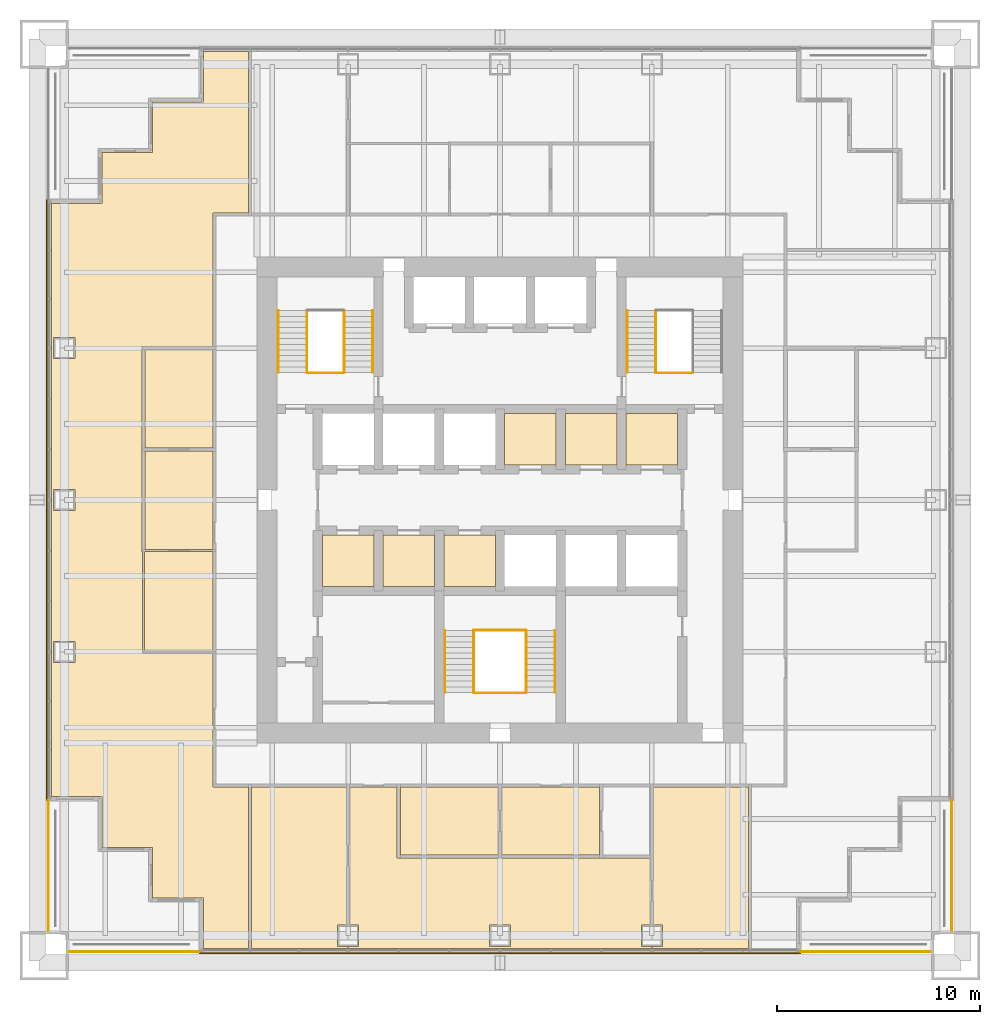
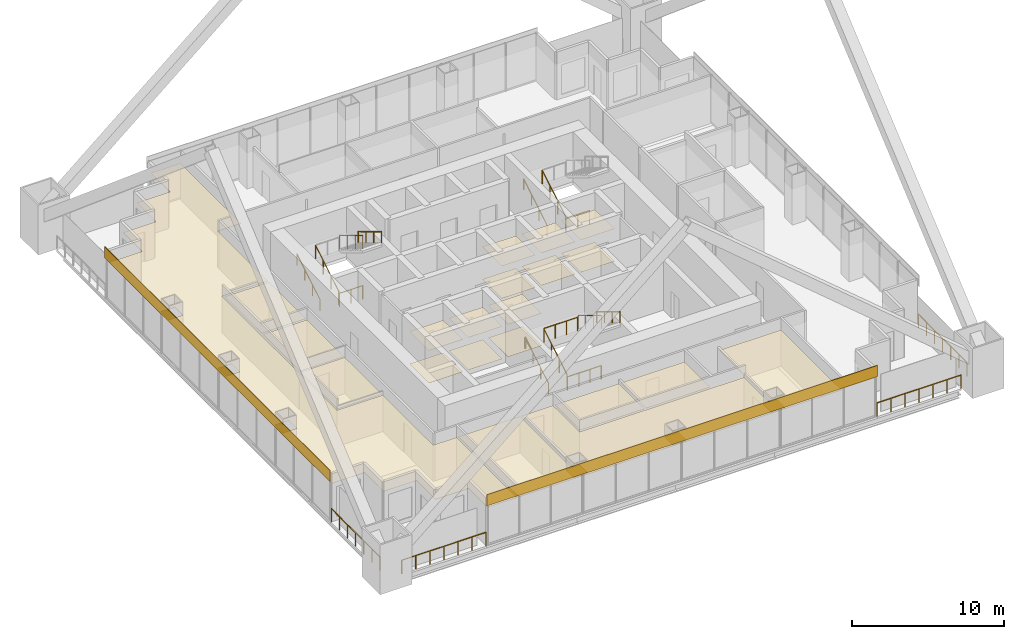
# One storey, part 18 of 19: 23 coverings, 18 railings.
"""IFC4 building model written with IfcOpenShell, lengths in metres."""

from ifc_helpers import new_model, si_unit, direction, frame, origin, origin_2d, place, context, subcontext, project, spatial, polyline, rectangle, circle, outline, extrude, material, layer, layer_set, type_object, element, save


model = new_model("IFC4")

# Units and contexts
model_context = context("Model", 3, precision=1e-05, world=origin(), true_north=direction((0.0, 1.0)))
body_context = subcontext(model_context, "Body", "Model", "MODEL_VIEW")
ifc_project = project(units=[si_unit("LENGTHUNIT", "METRE"), si_unit("AREAUNIT", "SQUARE_METRE"), si_unit("VOLUMEUNIT", "CUBIC_METRE"), si_unit("PLANEANGLEUNIT", "RADIAN"), si_unit("MASSUNIT", "GRAM", prefix="KILO")], contexts=[model_context])

# Site, building, storey
site_placement = place(None, origin())
site = spatial("IfcSite", under=ifc_project, at=site_placement, CompositionType="ELEMENT")
building_placement = place(site_placement, origin())
building = spatial("IfcBuilding", under=site, at=building_placement, Name="Tarangal Relay Tower", CompositionType="ELEMENT")
storey_placement = place(building_placement, frame((0.0, 0.0, 213.89990234375)))
storey = spatial("IfcBuildingStorey", under=building, at=storey_placement, Name="L45", CompositionType="ELEMENT", Elevation=213.89990234375)

# Coverings
ifc_material_1 = material(Name="Anti-static vinyl flooring", Category="plastic")
ifc_layer_1 = layer(ifc_material_1, 0.010009765625)
ifc_layer_set_1 = layer_set([ifc_layer_1], Name="Anti-static vinyl floor")
covering_type_1 = type_object("IfcCoveringType", Name="Anti-static vinyl floor", PredefinedType="FLOORING", material=ifc_layer_set_1)
covering_1_placement = place(storey_placement, origin())
element("IfcCovering", 1, at=covering_1_placement, inside=storey, type_object=covering_type_1, Name="Floor finish FL1 L45-T1", PredefinedType="FLOORING", context=body_context, shape_type="SweptSolid", body=[
    extrude(outline(polyline([(0.22509765625, 1.72509765625), (2.77490234375, 1.72509765625), (2.77490234375, 4.27490234375), (0.22509765625, 4.27490234375), (0.22509765625, 1.72509765625)])), origin(), (0.0, 0.0, 1.0), 0.010009765625),
])
covering_2_placement = place(storey_placement, origin())
element("IfcCovering", 2, at=covering_2_placement, inside=storey, type_object=covering_type_1, Name="Floor finish FL1 L45-T2", PredefinedType="FLOORING", context=body_context, shape_type="SweptSolid", body=[
    extrude(outline(polyline([(3.22509765625, 1.72509765625), (5.77490234375, 1.72509765625), (5.77490234375, 4.27490234375), (3.22509765625, 4.27490234375), (3.22509765625, 1.72509765625)])), origin(), (0.0, 0.0, 1.0), 0.010009765625),
])
covering_3_placement = place(storey_placement, origin())
element("IfcCovering", 3, at=covering_3_placement, inside=storey, type_object=covering_type_1, Name="Floor finish FL1 L45-T3", PredefinedType="FLOORING", context=body_context, shape_type="SweptSolid", body=[
    extrude(outline(polyline([(6.22509765625, 1.72509765625), (8.77490234375, 1.72509765625), (8.77490234375, 4.27490234375), (6.22509765625, 4.27490234375), (6.22509765625, 1.72509765625)])), origin(), (0.0, 0.0, 1.0), 0.010009765625),
])
covering_4_placement = place(storey_placement, origin())
element("IfcCovering", 4, at=covering_4_placement, inside=storey, type_object=covering_type_1, Name="Floor finish FL1 L45-S1", PredefinedType="FLOORING", context=body_context, shape_type="SweptSolid", body=[
    extrude(outline(polyline([(-8.77490234375, -4.27490234375), (-6.22509765625, -4.27490234375), (-6.22509765625, -1.72509765625), (-8.77490234375, -1.72509765625), (-8.77490234375, -4.27490234375)])), origin(), (0.0, 0.0, 1.0), 0.010009765625),
])
covering_5_placement = place(storey_placement, origin())
element("IfcCovering", 5, at=covering_5_placement, inside=storey, type_object=covering_type_1, Name="Floor finish FL1 L45-S2", PredefinedType="FLOORING", context=body_context, shape_type="SweptSolid", body=[
    extrude(outline(polyline([(-5.77490234375, -4.27490234375), (-3.22509765625, -4.27490234375), (-3.22509765625, -1.72509765625), (-5.77490234375, -1.72509765625), (-5.77490234375, -4.27490234375)])), origin(), (0.0, 0.0, 1.0), 0.010009765625),
])
covering_6_placement = place(storey_placement, origin())
element("IfcCovering", 6, at=covering_6_placement, inside=storey, type_object=covering_type_1, Name="Floor finish FL1 L45-S3", PredefinedType="FLOORING", context=body_context, shape_type="SweptSolid", body=[
    extrude(outline(polyline([(-2.77490234375, -4.27490234375), (-0.22509765625, -4.27490234375), (-0.22509765625, -1.72509765625), (-2.77490234375, -1.72509765625), (-2.77490234375, -4.27490234375)])), origin(), (0.0, 0.0, 1.0), 0.010009765625),
])
ifc_material_2 = material(Name="Black anodised aluminium cladding", Category="aluminium")
ifc_layer_2 = layer(ifc_material_2, 0.050048828125)
ifc_layer_set_2 = layer_set([ifc_layer_2], Name="Black metal spandrel band")
covering_type_2 = type_object("IfcCoveringType", Name="Black metal spandrel band", PredefinedType="CLADDING", material=ifc_layer_set_2)
for number, where, z_axis, x_axis, name in (
    (7, (0.0, -22.375, 3.250244140625), (0.0, 0.0, 1.0), (-1.0, 0.0, 0.0), "Spandrel band SB1 S L45"),
    (8, (-22.375, 0.0, 3.250244140625), (0.0, 0.0, 1.0), (0.0, 1.0, 0.0), "Spandrel band SB1 W L45"),
):
    element("IfcCovering", number, at=place(storey_placement, frame(where, z_axis=z_axis, x_axis=x_axis)), inside=storey, type_object=covering_type_2, Name=name, PredefinedType="CLADDING", context=body_context, shape_type="SweptSolid", body=[
        extrude(rectangle(XDim=29.699951171875, YDim=0.050048828125, at=origin_2d()), origin(), (0.0, 0.0, 1.0), 0.89990234375),
    ])

# Railings
ifc_material_3 = material(Name="Steel guard, black finish", Category="steel")
railing_type_1 = type_object("IfcRailingType", Name="Stair guard 1100", PredefinedType="GUARDRAIL", material=ifc_material_3)
railing_1_placement = place(storey_placement, frame((-9.530029296875, 6.300048828125, 0.166748046875)))
element("IfcRailing", 9, at=railing_1_placement, inside=storey, type_object=railing_type_1, Name="Stair ST-A guard GR1 L45 flight 1", PredefinedType="GUARDRAIL", context=body_context, shape_type="SweptSolid", body=[
    extrude(circle(Radius=0.02392578125, at=origin_2d()), frame((0.0, 0.0, 1.076171875), z_axis=(0.0, 0.85685617095, 0.515555527858), x_axis=(-1.0, 0.0, 0.0)), (0.0, 0.0, 1.0), 3.555908203125),
    extrude(circle(Radius=0.02099609375, at=origin_2d()), origin(), (0.0, 0.0, 1.0), 1.052001953125),
    extrude(circle(Radius=0.02099609375, at=origin_2d()), frame((0.0, 1.015625, 0.611083984375)), (0.0, 0.0, 1.0), 1.052001953125),
    extrude(circle(Radius=0.02099609375, at=origin_2d()), frame((0.0, 2.03125, 1.22216796875)), (0.0, 0.0, 1.0), 1.052001953125),
    extrude(circle(Radius=0.02099609375, at=origin_2d()), frame((0.0, 3.046875, 1.833251953125)), (0.0, 0.0, 1.0), 1.052001953125),
])
railing_2_placement = place(storey_placement, frame((-7.695068359375, 9.346923828125, 2.166748046875)))
element("IfcRailing", 10, at=railing_2_placement, inside=storey, type_object=railing_type_1, Name="Stair ST-A guard GR1 L45 flight 2", PredefinedType="GUARDRAIL", context=body_context, shape_type="SweptSolid", body=[
    extrude(circle(Radius=0.02392578125, at=origin_2d()), frame((0.0, 0.0, 1.076171875), z_axis=(0.0, -0.85685617095, 0.515555527858), x_axis=(1.0, 0.0, 0.0)), (0.0, 0.0, 1.0), 3.555908203125),
    extrude(circle(Radius=0.02099609375, at=origin_2d()), origin(), (0.0, 0.0, 1.0), 1.052001953125),
    extrude(circle(Radius=0.02099609375, at=origin_2d()), frame((0.0, -1.015625, 0.611083984375)), (0.0, 0.0, 1.0), 1.052001953125),
    extrude(circle(Radius=0.02099609375, at=origin_2d()), frame((0.0, -2.03125, 1.22216796875)), (0.0, 0.0, 1.0), 1.052001953125),
    extrude(circle(Radius=0.02099609375, at=origin_2d()), frame((0.0, -3.046875, 1.833251953125)), (0.0, 0.0, 1.0), 1.052001953125),
])
railing_3_placement = place(storey_placement, frame((-9.5, 6.27001953125, 0.0)))
element("IfcRailing", 11, at=railing_3_placement, inside=storey, type_object=railing_type_1, Name="Stair ST-A landing guard GR1 L45", PredefinedType="GUARDRAIL", context=body_context, shape_type="SweptSolid", body=[
    extrude(circle(Radius=0.02392578125, at=origin_2d()), frame((0.0, 0.0, 1.076171875), z_axis=(1.0, 0.0, 0.0), x_axis=(0.0, 1.0, 0.0)), (0.0, 0.0, 1.0), 1.77490234375),
    extrude(circle(Radius=0.02099609375, at=origin_2d()), origin(), (0.0, 0.0, 1.0), 1.052001953125),
    extrude(circle(Radius=0.02099609375, at=origin_2d()), frame((0.887451171875, 0.0, 0.0)), (0.0, 0.0, 1.0), 1.052001953125),
    extrude(circle(Radius=0.02099609375, at=origin_2d()), frame((1.77490234375, 0.0, 0.0)), (0.0, 0.0, 1.0), 1.052001953125),
])
railing_4_placement = place(storey_placement, frame((7.695068359375, 6.300048828125, 0.166748046875)))
element("IfcRailing", 12, at=railing_4_placement, inside=storey, type_object=railing_type_1, Name="Stair ST-B guard GR1 L45 flight 1", PredefinedType="GUARDRAIL", context=body_context, shape_type="SweptSolid", body=[
    extrude(circle(Radius=0.02392578125, at=origin_2d()), frame((0.0, 0.0, 1.076171875), z_axis=(0.0, 0.85685617095, 0.515555527858), x_axis=(-1.0, 0.0, 0.0)), (0.0, 0.0, 1.0), 3.555908203125),
    extrude(circle(Radius=0.02099609375, at=origin_2d()), origin(), (0.0, 0.0, 1.0), 1.052001953125),
    extrude(circle(Radius=0.02099609375, at=origin_2d()), frame((0.0, 1.015625, 0.611083984375)), (0.0, 0.0, 1.0), 1.052001953125),
    extrude(circle(Radius=0.02099609375, at=origin_2d()), frame((0.0, 2.03125, 1.22216796875)), (0.0, 0.0, 1.0), 1.052001953125),
    extrude(circle(Radius=0.02099609375, at=origin_2d()), frame((0.0, 3.046875, 1.833251953125)), (0.0, 0.0, 1.0), 1.052001953125),
])
railing_5_placement = place(storey_placement, frame((7.72509765625, 6.27001953125, 0.0)))
element("IfcRailing", 13, at=railing_5_placement, inside=storey, type_object=railing_type_1, Name="Stair ST-B landing guard GR1 L45", PredefinedType="GUARDRAIL", context=body_context, shape_type="SweptSolid", body=[
    extrude(circle(Radius=0.02392578125, at=origin_2d()), frame((0.0, 0.0, 1.076171875), z_axis=(1.0, 0.0, 0.0), x_axis=(0.0, 1.0, 0.0)), (0.0, 0.0, 1.0), 1.77490234375),
    extrude(circle(Radius=0.02099609375, at=origin_2d()), origin(), (0.0, 0.0, 1.0), 1.052001953125),
    extrude(circle(Radius=0.02099609375, at=origin_2d()), frame((0.887451171875, 0.0, 0.0)), (0.0, 0.0, 1.0), 1.052001953125),
    extrude(circle(Radius=0.02099609375, at=origin_2d()), frame((1.77490234375, 0.0, 0.0)), (0.0, 0.0, 1.0), 1.052001953125),
])
railing_6_placement = place(storey_placement, frame((-1.304931640625, -9.5, 0.166748046875)))
element("IfcRailing", 14, at=railing_6_placement, inside=storey, type_object=railing_type_1, Name="Stair ST-C guard GR1 L45 flight 1", PredefinedType="GUARDRAIL", context=body_context, shape_type="SweptSolid", body=[
    extrude(circle(Radius=0.02392578125, at=origin_2d()), frame((0.0, 0.0, 1.076171875), z_axis=(0.0, 0.856874418557, 0.515525199018), x_axis=(-1.0, 0.0, 0.0)), (0.0, 0.0, 1.0), 3.55615234375),
    extrude(circle(Radius=0.02099609375, at=origin_2d()), origin(), (0.0, 0.0, 1.0), 1.052001953125),
    extrude(circle(Radius=0.02099609375, at=origin_2d()), frame((0.0, 1.015625, 0.611083984375)), (0.0, 0.0, 1.0), 1.052001953125),
    extrude(circle(Radius=0.02099609375, at=origin_2d()), frame((0.0, 2.031494140625, 1.22216796875)), (0.0, 0.0, 1.0), 1.052001953125),
    extrude(circle(Radius=0.02099609375, at=origin_2d()), frame((0.0, 3.047119140625, 1.833251953125)), (0.0, 0.0, 1.0), 1.052001953125),
])
railing_7_placement = place(storey_placement, frame((1.304931640625, -6.452880859375, 2.166748046875)))
element("IfcRailing", 15, at=railing_7_placement, inside=storey, type_object=railing_type_1, Name="Stair ST-C guard GR1 L45 flight 2", PredefinedType="GUARDRAIL", context=body_context, shape_type="SweptSolid", body=[
    extrude(circle(Radius=0.02392578125, at=origin_2d()), frame((0.0, 0.0, 1.076171875), z_axis=(0.0, -0.856874418557, 0.515525199018), x_axis=(1.0, 0.0, 0.0)), (0.0, 0.0, 1.0), 3.55615234375),
    extrude(circle(Radius=0.02099609375, at=origin_2d()), origin(), (0.0, 0.0, 1.0), 1.052001953125),
    extrude(circle(Radius=0.02099609375, at=origin_2d()), frame((0.0, -1.015625, 0.611083984375)), (0.0, 0.0, 1.0), 1.052001953125),
    extrude(circle(Radius=0.02099609375, at=origin_2d()), frame((0.0, -2.031494140625, 1.22216796875)), (0.0, 0.0, 1.0), 1.052001953125),
    extrude(circle(Radius=0.02099609375, at=origin_2d()), frame((0.0, -3.047119140625, 1.833251953125)), (0.0, 0.0, 1.0), 1.052001953125),
])
for number, where, name in (
    (16, (-1.27490234375, -9.530029296875, 0.0), "Stair ST-C landing guard GR1 L45"),
    (17, (-1.27490234375, -6.423095703125, 2.0), "Stair ST-C landing guard GR1 L45"),
):
    element("IfcRailing", number, at=place(storey_placement, frame(where)), inside=storey, type_object=railing_type_1, Name=name, PredefinedType="GUARDRAIL", context=body_context, shape_type="SweptSolid", body=[
        extrude(circle(Radius=0.02392578125, at=origin_2d()), frame((0.0, 0.0, 1.076171875), z_axis=(1.0, 0.0, 0.0), x_axis=(0.0, 1.0, 0.0)), (0.0, 0.0, 1.0), 2.5498046875),
        extrude(circle(Radius=0.02099609375, at=origin_2d()), origin(), (0.0, 0.0, 1.0), 1.052001953125),
        extrude(circle(Radius=0.02099609375, at=origin_2d()), frame((0.849853515625, 0.0, 0.0)), (0.0, 0.0, 1.0), 1.052001953125),
        extrude(circle(Radius=0.02099609375, at=origin_2d()), frame((1.699951171875, 0.0, 0.0)), (0.0, 0.0, 1.0), 1.052001953125),
        extrude(circle(Radius=0.02099609375, at=origin_2d()), frame((2.5498046875, 0.0, 0.0)), (0.0, 0.0, 1.0), 1.052001953125),
    ])
ifc_material_4 = material(Name="Steel handrail, black finish", Category="steel")
railing_type_2 = type_object("IfcRailingType", Name="Stair handrail 900", PredefinedType="HANDRAIL", material=ifc_material_4)
railing_8_placement = place(storey_placement, frame((-10.93994140625, 6.300048828125, 0.166748046875)))
element("IfcRailing", 18, at=railing_8_placement, inside=storey, type_object=railing_type_2, Name="Stair ST-A handrail HR1 L45 flight 1", PredefinedType="HANDRAIL", context=body_context, shape_type="SweptSolid", body=[
    extrude(circle(Radius=0.02392578125, at=origin_2d()), frame((0.0, 0.0, 0.8759765625), z_axis=(0.0, 0.85685617095, 0.515555527858), x_axis=(-1.0, 0.0, 0.0)), (0.0, 0.0, 1.0), 3.555908203125),
    extrude(circle(Radius=0.02099609375, at=origin_2d()), origin(), (0.0, 0.0, 1.0), 0.851806640625),
    extrude(circle(Radius=0.02099609375, at=origin_2d()), frame((0.0, 1.015625, 0.611083984375)), (0.0, 0.0, 1.0), 0.851806640625),
    extrude(circle(Radius=0.02099609375, at=origin_2d()), frame((0.0, 2.03125, 1.22216796875)), (0.0, 0.0, 1.0), 0.851806640625),
    extrude(circle(Radius=0.02099609375, at=origin_2d()), frame((0.0, 3.046875, 1.833251953125)), (0.0, 0.0, 1.0), 0.851806640625),
])
railing_9_placement = place(storey_placement, frame((-6.284912109375, 9.346923828125, 2.166748046875)))
element("IfcRailing", 19, at=railing_9_placement, inside=storey, type_object=railing_type_2, Name="Stair ST-A handrail HR1 L45 flight 2", PredefinedType="HANDRAIL", context=body_context, shape_type="SweptSolid", body=[
    extrude(circle(Radius=0.02392578125, at=origin_2d()), frame((0.0, 0.0, 0.8759765625), z_axis=(0.0, -0.85685617095, 0.515555527858), x_axis=(1.0, 0.0, 0.0)), (0.0, 0.0, 1.0), 3.555908203125),
    extrude(circle(Radius=0.02099609375, at=origin_2d()), origin(), (0.0, 0.0, 1.0), 0.851806640625),
    extrude(circle(Radius=0.02099609375, at=origin_2d()), frame((0.0, -1.015625, 0.611083984375)), (0.0, 0.0, 1.0), 0.851806640625),
    extrude(circle(Radius=0.02099609375, at=origin_2d()), frame((0.0, -2.03125, 1.22216796875)), (0.0, 0.0, 1.0), 0.851806640625),
    extrude(circle(Radius=0.02099609375, at=origin_2d()), frame((0.0, -3.046875, 1.833251953125)), (0.0, 0.0, 1.0), 0.851806640625),
])
railing_10_placement = place(storey_placement, frame((6.284912109375, 6.300048828125, 0.166748046875)))
element("IfcRailing", 20, at=railing_10_placement, inside=storey, type_object=railing_type_2, Name="Stair ST-B handrail HR1 L45 flight 1", PredefinedType="HANDRAIL", context=body_context, shape_type="SweptSolid", body=[
    extrude(circle(Radius=0.02392578125, at=origin_2d()), frame((0.0, 0.0, 0.8759765625), z_axis=(0.0, 0.85685617095, 0.515555527858), x_axis=(-1.0, 0.0, 0.0)), (0.0, 0.0, 1.0), 3.555908203125),
    extrude(circle(Radius=0.02099609375, at=origin_2d()), origin(), (0.0, 0.0, 1.0), 0.851806640625),
    extrude(circle(Radius=0.02099609375, at=origin_2d()), frame((0.0, 1.015625, 0.611083984375)), (0.0, 0.0, 1.0), 0.851806640625),
    extrude(circle(Radius=0.02099609375, at=origin_2d()), frame((0.0, 2.03125, 1.22216796875)), (0.0, 0.0, 1.0), 0.851806640625),
    extrude(circle(Radius=0.02099609375, at=origin_2d()), frame((0.0, 3.046875, 1.833251953125)), (0.0, 0.0, 1.0), 0.851806640625),
])
railing_11_placement = place(storey_placement, frame((-2.715087890625, -9.5, 0.166748046875)))
element("IfcRailing", 21, at=railing_11_placement, inside=storey, type_object=railing_type_2, Name="Stair ST-C handrail HR1 L45 flight 1", PredefinedType="HANDRAIL", context=body_context, shape_type="SweptSolid", body=[
    extrude(circle(Radius=0.02392578125, at=origin_2d()), frame((0.0, 0.0, 0.8759765625), z_axis=(0.0, 0.856874418557, 0.515525199018), x_axis=(-1.0, 0.0, 0.0)), (0.0, 0.0, 1.0), 3.55615234375),
    extrude(circle(Radius=0.02099609375, at=origin_2d()), origin(), (0.0, 0.0, 1.0), 0.851806640625),
    extrude(circle(Radius=0.02099609375, at=origin_2d()), frame((0.0, 1.015625, 0.611083984375)), (0.0, 0.0, 1.0), 0.851806640625),
    extrude(circle(Radius=0.02099609375, at=origin_2d()), frame((0.0, 2.031494140625, 1.22216796875)), (0.0, 0.0, 1.0), 0.851806640625),
    extrude(circle(Radius=0.02099609375, at=origin_2d()), frame((0.0, 3.047119140625, 1.833251953125)), (0.0, 0.0, 1.0), 0.851806640625),
])
railing_12_placement = place(storey_placement, frame((2.715087890625, -6.452880859375, 2.166748046875)))
element("IfcRailing", 22, at=railing_12_placement, inside=storey, type_object=railing_type_2, Name="Stair ST-C handrail HR1 L45 flight 2", PredefinedType="HANDRAIL", context=body_context, shape_type="SweptSolid", body=[
    extrude(circle(Radius=0.02392578125, at=origin_2d()), frame((0.0, 0.0, 0.8759765625), z_axis=(0.0, -0.856874418557, 0.515525199018), x_axis=(1.0, 0.0, 0.0)), (0.0, 0.0, 1.0), 3.55615234375),
    extrude(circle(Radius=0.02099609375, at=origin_2d()), origin(), (0.0, 0.0, 1.0), 0.851806640625),
    extrude(circle(Radius=0.02099609375, at=origin_2d()), frame((0.0, -1.015625, 0.611083984375)), (0.0, 0.0, 1.0), 0.851806640625),
    extrude(circle(Radius=0.02099609375, at=origin_2d()), frame((0.0, -2.031494140625, 1.22216796875)), (0.0, 0.0, 1.0), 0.851806640625),
    extrude(circle(Radius=0.02099609375, at=origin_2d()), frame((0.0, -3.047119140625, 1.833251953125)), (0.0, 0.0, 1.0), 0.851806640625),
])

# Coverings
ifc_material_5 = material(Name="Mineral fibre ceiling tiles", Category="gypsum")
ifc_layer_3 = layer(ifc_material_5, 0.02001953125)
ifc_layer_set_3 = layer_set([ifc_layer_3], Name="Suspended ceiling")
covering_type_3 = type_object("IfcCoveringType", Name="Suspended ceiling", PredefinedType="CEILING", material=ifc_layer_set_3)
covering_7_placement = place(storey_placement, frame((0.0, 0.0, 2.60009765625)))
element("IfcCovering", 23, at=covering_7_placement, inside=storey, type_object=covering_type_3, Name="Suspended ceiling CL1 L45-T1", PredefinedType="CEILING", context=body_context, shape_type="SweptSolid", body=[
    extrude(outline(polyline([(0.22509765625, 1.72509765625), (2.77490234375, 1.72509765625), (2.77490234375, 4.27490234375), (0.22509765625, 4.27490234375), (0.22509765625, 1.72509765625)])), origin(), (0.0, 0.0, 1.0), 0.02001953125),
])
covering_8_placement = place(storey_placement, frame((0.0, 0.0, 2.60009765625)))
element("IfcCovering", 24, at=covering_8_placement, inside=storey, type_object=covering_type_3, Name="Suspended ceiling CL1 L45-T2", PredefinedType="CEILING", context=body_context, shape_type="SweptSolid", body=[
    extrude(outline(polyline([(3.22509765625, 1.72509765625), (5.77490234375, 1.72509765625), (5.77490234375, 4.27490234375), (3.22509765625, 4.27490234375), (3.22509765625, 1.72509765625)])), origin(), (0.0, 0.0, 1.0), 0.02001953125),
])
covering_9_placement = place(storey_placement, frame((0.0, 0.0, 2.60009765625)))
element("IfcCovering", 25, at=covering_9_placement, inside=storey, type_object=covering_type_3, Name="Suspended ceiling CL1 L45-T3", PredefinedType="CEILING", context=body_context, shape_type="SweptSolid", body=[
    extrude(outline(polyline([(6.22509765625, 1.72509765625), (8.77490234375, 1.72509765625), (8.77490234375, 4.27490234375), (6.22509765625, 4.27490234375), (6.22509765625, 1.72509765625)])), origin(), (0.0, 0.0, 1.0), 0.02001953125),
])
covering_10_placement = place(storey_placement, frame((0.0, 0.0, 2.60009765625)))
element("IfcCovering", 26, at=covering_10_placement, inside=storey, type_object=covering_type_3, Name="Suspended ceiling CL1 L45-S1", PredefinedType="CEILING", context=body_context, shape_type="SweptSolid", body=[
    extrude(outline(polyline([(-8.77490234375, -4.27490234375), (-6.22509765625, -4.27490234375), (-6.22509765625, -1.72509765625), (-8.77490234375, -1.72509765625), (-8.77490234375, -4.27490234375)])), origin(), (0.0, 0.0, 1.0), 0.02001953125),
])
covering_11_placement = place(storey_placement, frame((0.0, 0.0, 2.60009765625)))
element("IfcCovering", 27, at=covering_11_placement, inside=storey, type_object=covering_type_3, Name="Suspended ceiling CL1 L45-S2", PredefinedType="CEILING", context=body_context, shape_type="SweptSolid", body=[
    extrude(outline(polyline([(-5.77490234375, -4.27490234375), (-3.22509765625, -4.27490234375), (-3.22509765625, -1.72509765625), (-5.77490234375, -1.72509765625), (-5.77490234375, -4.27490234375)])), origin(), (0.0, 0.0, 1.0), 0.02001953125),
])
covering_12_placement = place(storey_placement, frame((0.0, 0.0, 2.60009765625)))
element("IfcCovering", 28, at=covering_12_placement, inside=storey, type_object=covering_type_3, Name="Suspended ceiling CL1 L45-S3", PredefinedType="CEILING", context=body_context, shape_type="SweptSolid", body=[
    extrude(outline(polyline([(-2.77490234375, -4.27490234375), (-0.22509765625, -4.27490234375), (-0.22509765625, -1.72509765625), (-2.77490234375, -1.72509765625), (-2.77490234375, -4.27490234375)])), origin(), (0.0, 0.0, 1.0), 0.02001953125),
])
covering_13_placement = place(storey_placement, frame((0.0, 0.0, 2.900146484375)))
element("IfcCovering", 29, at=covering_13_placement, inside=storey, type_object=covering_type_3, Name="Suspended ceiling CL1 L45-09", PredefinedType="CEILING", context=body_context, shape_type="SweptSolid", body=[
    extrude(outline(polyline([(7.5, -22.14990234375), (12.258056640625, -22.14990234375), (12.258056640625, -14.175048828125), (7.574951171875, -14.175048828125), (7.574951171875, -20.989990234375), (8.02490234375, -20.989990234375), (8.02490234375, -22.0400390625), (7.5, -22.0400390625), (7.5, -22.14990234375)])), origin(), (0.0, 0.0, 1.0), 0.02001953125),
])
covering_14_placement = place(storey_placement, frame((0.0, 0.0, 2.900146484375)))
element("IfcCovering", 30, at=covering_14_placement, inside=storey, type_object=covering_type_3, Name="Suspended ceiling CL1 L45-11", PredefinedType="CEILING", context=body_context, shape_type="SweptSolid", body=[
    extrude(outline(polyline([(-7.5, -22.14990234375), (7.5, -22.14990234375), (7.5, -22.0400390625), (6.97509765625, -22.0400390625), (6.97509765625, -20.989990234375), (7.425048828125, -20.989990234375), (7.425048828125, -17.675048828125), (-5.074951171875, -17.675048828125), (-5.074951171875, -14.175048828125), (-7.425048828125, -14.175048828125), (-7.425048828125, -20.989990234375), (-6.97509765625, -20.989990234375), (-6.97509765625, -22.0400390625), (-7.5, -22.0400390625), (-7.5, -22.14990234375)]), holes=[polyline([(-0.52490234375, -22.0400390625), (0.52490234375, -22.0400390625), (0.52490234375, -20.989990234375), (-0.52490234375, -20.989990234375), (-0.52490234375, -22.0400390625)])]), origin(), (0.0, 0.0, 1.0), 0.02001953125),
])
covering_15_placement = place(storey_placement, frame((0.0, 0.0, 2.900146484375)))
element("IfcCovering", 31, at=covering_15_placement, inside=storey, type_object=covering_type_3, Name="Suspended ceiling CL1 L45-12", PredefinedType="CEILING", context=body_context, shape_type="SweptSolid", body=[
    extrude(outline(polyline([(0.074951171875, -14.175048828125), (0.074951171875, -17.52490234375), (4.925048828125, -17.52490234375), (4.925048828125, -14.175048828125), (0.074951171875, -14.175048828125)])), origin(), (0.0, 0.0, 1.0), 0.02001953125),
])
covering_16_placement = place(storey_placement, frame((0.0, 0.0, 2.900146484375)))
element("IfcCovering", 32, at=covering_16_placement, inside=storey, type_object=covering_type_3, Name="Suspended ceiling CL1 L45-13", PredefinedType="CEILING", context=body_context, shape_type="SweptSolid", body=[
    extrude(outline(polyline([(-0.074951171875, -14.175048828125), (-4.925048828125, -14.175048828125), (-4.925048828125, -17.52490234375), (-0.074951171875, -17.52490234375), (-0.074951171875, -14.175048828125)])), origin(), (0.0, 0.0, 1.0), 0.02001953125),
])
covering_17_placement = place(storey_placement, frame((0.0, 0.0, 2.900146484375)))
element("IfcCovering", 33, at=covering_17_placement, inside=storey, type_object=covering_type_3, Name="Suspended ceiling CL1 L45-14", PredefinedType="CEILING", context=body_context, shape_type="SweptSolid", body=[
    extrude(outline(polyline([(-7.5, -22.14990234375), (-7.5, -22.0400390625), (-8.02490234375, -22.0400390625), (-8.02490234375, -20.989990234375), (-7.574951171875, -20.989990234375), (-7.574951171875, -14.175048828125), (-12.258056640625, -14.175048828125), (-12.258056640625, -22.14990234375), (-7.5, -22.14990234375)])), origin(), (0.0, 0.0, 1.0), 0.02001953125),
])
covering_18_placement = place(storey_placement, frame((0.0, 0.0, 2.900146484375)))
element("IfcCovering", 34, at=covering_18_placement, inside=storey, type_object=covering_type_3, Name="Suspended ceiling CL1 L45-15", PredefinedType="CEILING", context=body_context, shape_type="SweptSolid", body=[
    extrude(outline(polyline([(-17.52490234375, -2.574951171875), (-17.550048828125, -2.574951171875), (-17.550048828125, -7.449951171875), (-14.175048828125, -7.449951171875), (-14.175048828125, -2.550048828125), (-17.52490234375, -2.550048828125), (-17.52490234375, -2.574951171875)])), origin(), (0.0, 0.0, 1.0), 0.02001953125),
])
covering_19_placement = place(storey_placement, frame((0.0, 0.0, 2.900146484375)))
element("IfcCovering", 35, at=covering_19_placement, inside=storey, type_object=covering_type_3, Name="Suspended ceiling CL1 L45-16", PredefinedType="CEILING", context=body_context, shape_type="SweptSolid", body=[
    extrude(outline(polyline([(-14.175048828125, 2.425048828125), (-17.52490234375, 2.425048828125), (-17.52490234375, -2.449951171875), (-14.175048828125, -2.449951171875), (-14.175048828125, 2.425048828125)])), origin(), (0.0, 0.0, 1.0), 0.02001953125),
])
covering_20_placement = place(storey_placement, frame((0.0, 0.0, 2.900146484375)))
element("IfcCovering", 36, at=covering_20_placement, inside=storey, type_object=covering_type_3, Name="Suspended ceiling CL1 L45-17", PredefinedType="CEILING", context=body_context, shape_type="SweptSolid", body=[
    extrude(outline(polyline([(-14.175048828125, 2.574951171875), (-14.175048828125, 7.425048828125), (-17.52490234375, 7.425048828125), (-17.52490234375, 2.574951171875), (-14.175048828125, 2.574951171875)])), origin(), (0.0, 0.0, 1.0), 0.02001953125),
])
covering_21_placement = place(storey_placement, frame((0.0, 0.0, 2.900146484375)))
element("IfcCovering", 37, at=covering_21_placement, inside=storey, type_object=covering_type_3, Name="Suspended ceiling CL1 L45-20", PredefinedType="CEILING", context=body_context, shape_type="SweptSolid", body=[
    extrude(outline(polyline([(-14.64990234375, -22.14990234375), (-12.407958984375, -22.14990234375), (-12.407958984375, -14.175048828125), (-14.175048828125, -14.175048828125), (-14.175048828125, -7.550048828125), (-17.64990234375, -7.550048828125), (-17.64990234375, -2.574951171875), (-17.675048828125, -2.574951171875), (-17.675048828125, 7.574951171875), (-14.175048828125, 7.574951171875), (-14.175048828125, 14.175048828125), (-12.407958984375, 14.175048828125), (-12.407958984375, 22.14990234375), (-14.64990234375, 22.14990234375), (-14.64990234375, 19.64990234375), (-17.14990234375, 19.64990234375), (-17.14990234375, 17.14990234375), (-19.64990234375, 17.14990234375), (-19.64990234375, 14.64990234375), (-22.14990234375, 14.64990234375), (-22.14990234375, -14.64990234375), (-19.64990234375, -14.64990234375), (-19.64990234375, -17.14990234375), (-17.14990234375, -17.14990234375), (-17.14990234375, -19.64990234375), (-14.64990234375, -19.64990234375), (-14.64990234375, -22.14990234375)]), holes=[polyline([(-20.989990234375, -8.02490234375), (-20.989990234375, -6.97509765625), (-22.0400390625, -6.97509765625), (-22.0400390625, -8.02490234375), (-20.989990234375, -8.02490234375)]), polyline([(-22.0400390625, -0.52490234375), (-20.989990234375, -0.52490234375), (-20.989990234375, 0.52490234375), (-22.0400390625, 0.52490234375), (-22.0400390625, -0.52490234375)]), polyline([(-22.0400390625, 6.97509765625), (-20.989990234375, 6.97509765625), (-20.989990234375, 8.02490234375), (-22.0400390625, 8.02490234375), (-22.0400390625, 6.97509765625)])]), origin(), (0.0, 0.0, 1.0), 0.02001953125),
])

# Railings
ifc_material_6 = material(Name="Black steel guard with glass infill", Category="steel")
railing_type_3 = type_object("IfcRailingType", Name="Terrace guard 1100", PredefinedType="GUARDRAIL", material=ifc_material_6)
railing_13_placement = place(storey_placement, frame((22.300048828125, -14.85009765625, 0.0)))
element("IfcRailing", 38, at=railing_13_placement, inside=storey, type_object=railing_type_3, Name="Terrace guard GR2 SE L45", PredefinedType="GUARDRAIL", context=body_context, shape_type="SweptSolid", body=[
    extrude(circle(Radius=0.02392578125, at=origin_2d()), frame((0.0, 0.0, 1.076171875), z_axis=(0.0, -1.0, 0.0), x_axis=(1.0, 0.0, 0.0)), (0.0, 0.0, 1.0), 6.39990234375),
    extrude(circle(Radius=0.02099609375, at=origin_2d()), origin(), (0.0, 0.0, 1.0), 1.052001953125),
    extrude(circle(Radius=0.02099609375, at=origin_2d()), frame((0.0, -1.066650390625, 0.0)), (0.0, 0.0, 1.0), 1.052001953125),
    extrude(circle(Radius=0.02099609375, at=origin_2d()), frame((0.0, -2.13330078125, 0.0)), (0.0, 0.0, 1.0), 1.052001953125),
    extrude(circle(Radius=0.02099609375, at=origin_2d()), frame((0.0, -3.199951171875, 0.0)), (0.0, 0.0, 1.0), 1.052001953125),
    extrude(circle(Radius=0.02099609375, at=origin_2d()), frame((0.0, -4.2666015625, 0.0)), (0.0, 0.0, 1.0), 1.052001953125),
    extrude(circle(Radius=0.02099609375, at=origin_2d()), frame((0.0, -5.333251953125, 0.0)), (0.0, 0.0, 1.0), 1.052001953125),
    extrude(circle(Radius=0.02099609375, at=origin_2d()), frame((0.0, -6.39990234375, 0.0)), (0.0, 0.0, 1.0), 1.052001953125),
])
for number, where, name in (
    (39, (21.25, -22.300048828125, 0.0), "Terrace guard GR2 SE L45"),
    (40, (-14.85009765625, -22.300048828125, 0.0), "Terrace guard GR2 SW L45"),
):
    element("IfcRailing", number, at=place(storey_placement, frame(where)), inside=storey, type_object=railing_type_3, Name=name, PredefinedType="GUARDRAIL", context=body_context, shape_type="SweptSolid", body=[
        extrude(circle(Radius=0.02392578125, at=origin_2d()), frame((0.0, 0.0, 1.076171875), z_axis=(-1.0, 0.0, 0.0), x_axis=(0.0, -1.0, 0.0)), (0.0, 0.0, 1.0), 6.39990234375),
        extrude(circle(Radius=0.02099609375, at=origin_2d()), origin(), (0.0, 0.0, 1.0), 1.052001953125),
        extrude(circle(Radius=0.02099609375, at=origin_2d()), frame((-1.066650390625, 0.0, 0.0)), (0.0, 0.0, 1.0), 1.052001953125),
        extrude(circle(Radius=0.02099609375, at=origin_2d()), frame((-2.13330078125, 0.0, 0.0)), (0.0, 0.0, 1.0), 1.052001953125),
        extrude(circle(Radius=0.02099609375, at=origin_2d()), frame((-3.199951171875, 0.0, 0.0)), (0.0, 0.0, 1.0), 1.052001953125),
        extrude(circle(Radius=0.02099609375, at=origin_2d()), frame((-4.2666015625, 0.0, 0.0)), (0.0, 0.0, 1.0), 1.052001953125),
        extrude(circle(Radius=0.02099609375, at=origin_2d()), frame((-5.333251953125, 0.0, 0.0)), (0.0, 0.0, 1.0), 1.052001953125),
        extrude(circle(Radius=0.02099609375, at=origin_2d()), frame((-6.39990234375, 0.0, 0.0)), (0.0, 0.0, 1.0), 1.052001953125),
    ])
railing_14_placement = place(storey_placement, frame((-22.300048828125, -21.25, 0.0)))
element("IfcRailing", 41, at=railing_14_placement, inside=storey, type_object=railing_type_3, Name="Terrace guard GR2 SW L45", PredefinedType="GUARDRAIL", context=body_context, shape_type="SweptSolid", body=[
    extrude(circle(Radius=0.02392578125, at=origin_2d()), frame((0.0, 0.0, 1.076171875), z_axis=(0.0, 1.0, 0.0), x_axis=(-1.0, 0.0, 0.0)), (0.0, 0.0, 1.0), 6.39990234375),
    extrude(circle(Radius=0.02099609375, at=origin_2d()), origin(), (0.0, 0.0, 1.0), 1.052001953125),
    extrude(circle(Radius=0.02099609375, at=origin_2d()), frame((0.0, 1.066650390625, 0.0)), (0.0, 0.0, 1.0), 1.052001953125),
    extrude(circle(Radius=0.02099609375, at=origin_2d()), frame((0.0, 2.13330078125, 0.0)), (0.0, 0.0, 1.0), 1.052001953125),
    extrude(circle(Radius=0.02099609375, at=origin_2d()), frame((0.0, 3.199951171875, 0.0)), (0.0, 0.0, 1.0), 1.052001953125),
    extrude(circle(Radius=0.02099609375, at=origin_2d()), frame((0.0, 4.2666015625, 0.0)), (0.0, 0.0, 1.0), 1.052001953125),
    extrude(circle(Radius=0.02099609375, at=origin_2d()), frame((0.0, 5.333251953125, 0.0)), (0.0, 0.0, 1.0), 1.052001953125),
    extrude(circle(Radius=0.02099609375, at=origin_2d()), frame((0.0, 6.39990234375, 0.0)), (0.0, 0.0, 1.0), 1.052001953125),
])

save(model, "model.ifc")
